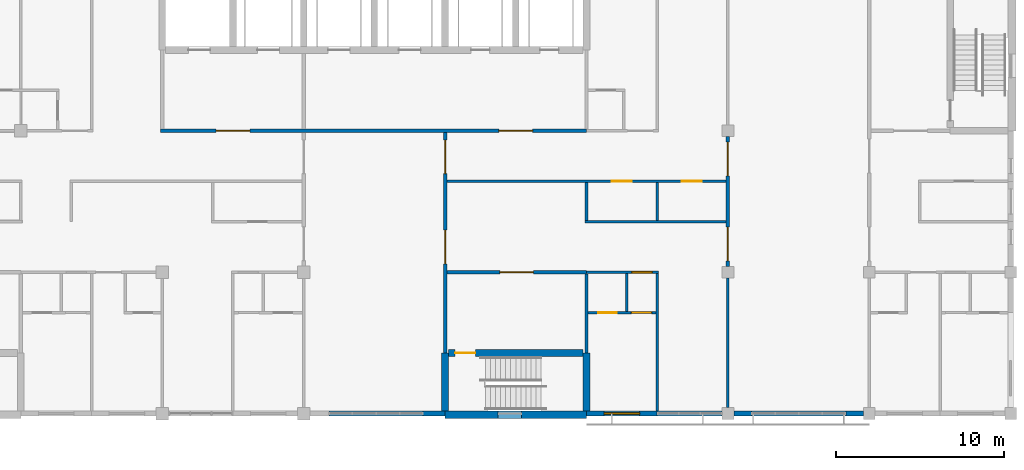
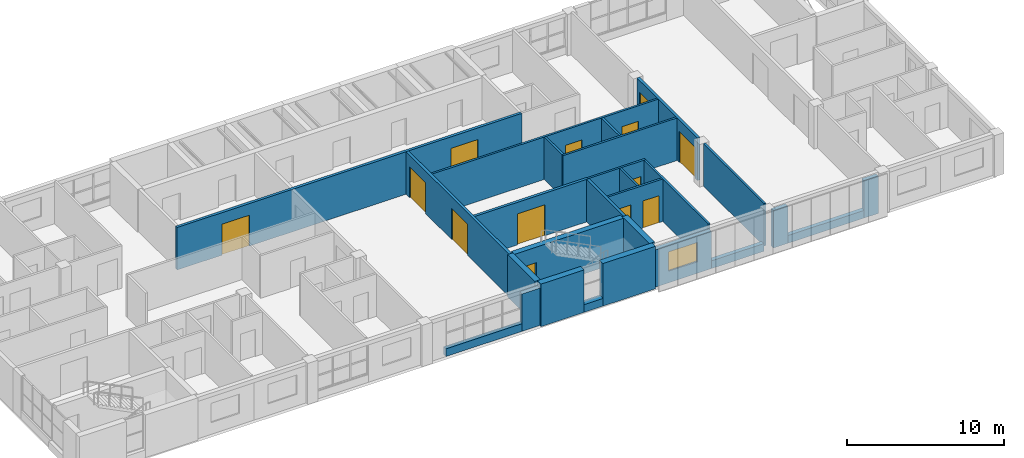
# One storey, part 38 of 48: 27 walls, 13 doors, 1 window, 14 openings.
"""IFC4 building model written with IfcOpenShell, lengths in metres."""

from ifc_helpers import new_model, si_unit, direction, frame, frame_2d, origin, place, context, subcontext, project, spatial, rectangle, extrude, material, layer, layer_set, type_object, element, fill, save


model = new_model("IFC4")

# Units and contexts
model_context = context("Model", 3, precision=1e-05, world=origin(), true_north=direction((0.0, 1.0)))
body_context = subcontext(model_context, "Body", "Model", "MODEL_VIEW")
ifc_project = project(units=[si_unit("LENGTHUNIT", "METRE"), si_unit("AREAUNIT", "SQUARE_METRE"), si_unit("VOLUMEUNIT", "CUBIC_METRE"), si_unit("PLANEANGLEUNIT", "RADIAN"), si_unit("MASSUNIT", "GRAM", prefix="KILO")], contexts=[model_context])

# Site, building, storey
site_placement = place(None, origin())
site = spatial("IfcSite", under=ifc_project, at=site_placement, CompositionType="ELEMENT")
building_placement = place(site_placement, origin())
building = spatial("IfcBuilding", under=site, at=building_placement, Name="Yavir Park General Hospital", CompositionType="ELEMENT")
storey_placement = place(building_placement, frame((0.0, 0.0, 26.10009765625)))
storey = spatial("IfcBuildingStorey", under=building, at=storey_placement, Name="L06", CompositionType="ELEMENT", Elevation=26.10009765625)

# Wall, opening, door
ifc_material_1 = material(Name="Double gypsum board fire partition on steel studs", Category="steel")
ifc_layer_1 = layer(ifc_material_1, 0.199951171875)
ifc_layer_set_1 = layer_set([ifc_layer_1], Name="Double gypsum board fire partition on steel studs")
wall_type_1 = type_object("IfcWallType", Name="Fire-rated partition 200, EI 60", PredefinedType="PARTITIONING", material=ifc_layer_set_1)
wall_1_placement = place(storey_placement, frame((134.5, 8.39990234375, 0.0), z_axis=(0.0, 0.0, 1.0), x_axis=(1.0, 0.0, 0.0)))
wall_1 = element("IfcWall", 1, at=wall_1_placement, inside=storey, type_object=wall_type_1, Name="FP20 L06-021", PredefinedType="PARTITIONING", context=body_context, shape_type="SweptSolid", body=[
    extrude(rectangle(XDim=8.300048828125, YDim=0.199951171875, at=frame_2d((4.14990234375, 0.0))), origin(), (0.0, 0.0, 1.0), 3.2998046875),
])
opening_1_placement = place(wall_1_placement, frame((3.14990234375, 0.0, 0.0)))
opening_1 = element("IfcOpeningElement", 2, at=opening_1_placement, cuts=wall_1, Name="Opening L06.D029", PredefinedType="OPENING", context=body_context, shape_type="SweptSolid", body=[
    extrude(rectangle(XDim=2.0, YDim=2.39990234375, at=frame_2d((1.0, 1.199951171875))), frame((0.0, 0.10986328125, 0.0), z_axis=(0.0, -1.0, 0.0), x_axis=(1.0, 0.0, 0.0)), (0.0, 0.0, 1.0), 0.219970703125),
])
ifc_material_2 = material(Name="Steel frame, fire-resisting leaves with vision panels", Category="steel")
door_type_1 = type_object("IfcDoorType", Name="Double fire door with vision panels 2000 x 2400, EI 60", OperationType="DOUBLE_DOOR_SINGLE_SWING", PredefinedType="DOOR", material=ifc_material_2)
door_1_placement = place(opening_1_placement, origin())
door_1 = element("IfcDoor", 3, at=door_1_placement, inside=storey, type_object=door_type_1, Name="L06.D029", OperationType="SINGLE_SWING_RIGHT", OverallHeight=2.39990234375, OverallWidth=2.0, PredefinedType="DOOR", context=body_context, shape_type="SweptSolid", body=[
    extrude(rectangle(XDim=2.0, YDim=2.39990234375, at=frame_2d((1.0, 1.199951171875))), frame((0.0, 0.030029296875, 0.0), z_axis=(0.0, -1.0, 0.0), x_axis=(1.0, 0.0, 0.0)), (0.0, 0.0, 1.0), 0.06005859375),
])
fill(opening_1, door_1)

# Wall, openings, doors
wall_2_placement = place(storey_placement, frame((117.5, 16.800048828125, 0.0), z_axis=(0.0, 0.0, 1.0), x_axis=(1.0, 0.0, 0.0)))
wall_2 = element("IfcWall", 4, at=wall_2_placement, inside=storey, type_object=wall_type_1, Name="FP20 L06-044", PredefinedType="PARTITIONING", context=body_context, shape_type="SweptSolid", body=[
    extrude(rectangle(XDim=25.300048828125, YDim=0.199951171875, at=frame_2d((12.64990234375, 0.0))), origin(), (0.0, 0.0, 1.0), 3.2998046875),
])
opening_2_placement = place(wall_2_placement, frame((3.300048828125, 0.0, 0.0)))
opening_2 = element("IfcOpeningElement", 5, at=opening_2_placement, cuts=wall_2, Name="Opening L06.D048", PredefinedType="OPENING", context=body_context, shape_type="SweptSolid", body=[
    extrude(rectangle(XDim=2.0, YDim=2.39990234375, at=frame_2d((1.0, 1.199951171875))), frame((0.0, 0.10986328125, 0.0), z_axis=(0.0, -1.0, 0.0), x_axis=(1.0, 0.0, 0.0)), (0.0, 0.0, 1.0), 0.219970703125),
])
opening_3_placement = place(wall_2_placement, frame((20.10009765625, 0.0, 0.0)))
opening_3 = element("IfcOpeningElement", 6, at=opening_3_placement, cuts=wall_2, Name="Opening L06.D049", PredefinedType="OPENING", context=body_context, shape_type="SweptSolid", body=[
    extrude(rectangle(XDim=2.0, YDim=2.39990234375, at=frame_2d((1.0, 1.199951171875))), frame((0.0, 0.10986328125, 0.0), z_axis=(0.0, -1.0, 0.0), x_axis=(1.0, 0.0, 0.0)), (0.0, 0.0, 1.0), 0.219970703125),
])
door_2_placement = place(opening_2_placement, origin())
door_2 = element("IfcDoor", 7, at=door_2_placement, inside=storey, type_object=door_type_1, Name="L06.D048", OperationType="SINGLE_SWING_RIGHT", OverallHeight=2.39990234375, OverallWidth=2.0, PredefinedType="DOOR", context=body_context, shape_type="SweptSolid", body=[
    extrude(rectangle(XDim=2.0, YDim=2.39990234375, at=frame_2d((1.0, 1.199951171875))), frame((0.0, 0.030029296875, 0.0), z_axis=(0.0, -1.0, 0.0), x_axis=(1.0, 0.0, 0.0)), (0.0, 0.0, 1.0), 0.06005859375),
])
fill(opening_2, door_2)
door_3_placement = place(opening_3_placement, origin())
door_3 = element("IfcDoor", 8, at=door_3_placement, inside=storey, type_object=door_type_1, Name="L06.D049", OperationType="SINGLE_SWING_LEFT", OverallHeight=2.39990234375, OverallWidth=2.0, PredefinedType="DOOR", context=body_context, shape_type="SweptSolid", body=[
    extrude(rectangle(XDim=2.0, YDim=2.39990234375, at=frame_2d((1.0, 1.199951171875))), frame((0.0, 0.030029296875, 0.0), z_axis=(0.0, -1.0, 0.0), x_axis=(1.0, 0.0, 0.0)), (0.0, 0.0, 1.0), 0.06005859375),
])
fill(opening_3, door_3)

wall_3_placement = place(storey_placement, frame((134.39990234375, 3.60009765625, 0.0), z_axis=(0.0, 0.0, 1.0), x_axis=(0.0, 1.0, 0.0)))
wall_3 = element("IfcWall", 9, at=wall_3_placement, inside=storey, type_object=wall_type_1, Name="FP20 L06-237", PredefinedType="PARTITIONING", context=body_context, shape_type="SweptSolid", body=[
    extrude(rectangle(XDim=13.099853515625, YDim=0.199951171875, at=frame_2d((6.5498046875, 0.0))), origin(), (0.0, 0.0, 1.0), 3.2998046875),
])
opening_4_placement = place(wall_3_placement, frame((5.300048828125, 0.0, 0.0)))
opening_4 = element("IfcOpeningElement", 10, at=opening_4_placement, cuts=wall_3, Name="Opening L06.D143", PredefinedType="OPENING", context=body_context, shape_type="SweptSolid", body=[
    extrude(rectangle(XDim=2.0, YDim=2.39990234375, at=frame_2d((1.0, 1.199951171875))), frame((0.0, 0.10986328125, 0.0), z_axis=(0.0, -1.0, 0.0), x_axis=(1.0, 0.0, 0.0)), (0.0, 0.0, 1.0), 0.219970703125),
])
opening_5_placement = place(wall_3_placement, frame((10.64990234375, 0.0, 0.0)))
opening_5 = element("IfcOpeningElement", 11, at=opening_5_placement, cuts=wall_3, Name="Opening L06.D144", PredefinedType="OPENING", context=body_context, shape_type="SweptSolid", body=[
    extrude(rectangle(XDim=2.0, YDim=2.39990234375, at=frame_2d((1.0, 1.199951171875))), frame((0.0, 0.10986328125, 0.0), z_axis=(0.0, -1.0, 0.0), x_axis=(1.0, 0.0, 0.0)), (0.0, 0.0, 1.0), 0.219970703125),
])
door_4_placement = place(opening_4_placement, origin())
door_4 = element("IfcDoor", 12, at=door_4_placement, inside=storey, type_object=door_type_1, Name="L06.D143", OperationType="SINGLE_SWING_LEFT", OverallHeight=2.39990234375, OverallWidth=2.0, PredefinedType="DOOR", context=body_context, shape_type="SweptSolid", body=[
    extrude(rectangle(XDim=2.0, YDim=2.39990234375, at=frame_2d((1.0, 1.199951171875))), frame((0.0, 0.030029296875, 0.0), z_axis=(0.0, -1.0, 0.0), x_axis=(1.0, 0.0, 0.0)), (0.0, 0.0, 1.0), 0.06005859375),
])
fill(opening_4, door_4)
door_5_placement = place(opening_5_placement, origin())
door_5 = element("IfcDoor", 13, at=door_5_placement, inside=storey, type_object=door_type_1, Name="L06.D144", OperationType="SINGLE_SWING_LEFT", OverallHeight=2.39990234375, OverallWidth=2.0, PredefinedType="DOOR", context=body_context, shape_type="SweptSolid", body=[
    extrude(rectangle(XDim=2.0, YDim=2.39990234375, at=frame_2d((1.0, 1.199951171875))), frame((0.0, 0.030029296875, 0.0), z_axis=(0.0, -1.0, 0.0), x_axis=(1.0, 0.0, 0.0)), (0.0, 0.0, 1.0), 0.06005859375),
])
fill(opening_5, door_5)

# Wall
wall_4_placement = place(storey_placement, frame((142.800048828125, 3.60009765625, 0.0), z_axis=(0.0, 0.0, 1.0), x_axis=(0.0, 1.0, 0.0)))
element("IfcWall", 14, at=wall_4_placement, inside=storey, type_object=wall_type_1, Name="FP20 L06-241", PredefinedType="PARTITIONING", context=body_context, shape_type="SweptSolid", body=[
    extrude(rectangle(XDim=4.699951171875, YDim=0.199951171875, at=frame_2d((2.35009765625, 0.0))), origin(), (0.0, 0.0, 1.0), 3.2998046875),
])

# Wall, openings, doors
wall_5_placement = place(storey_placement, frame((151.199951171875, 8.75, 0.0), z_axis=(0.0, 0.0, 1.0), x_axis=(0.0, 1.0, 0.0)))
wall_5 = element("IfcWall", 15, at=wall_5_placement, inside=storey, type_object=wall_type_1, Name="FP20 L06-251", PredefinedType="PARTITIONING", context=body_context, shape_type="SweptSolid", body=[
    extrude(rectangle(XDim=7.699951171875, YDim=0.199951171875, at=frame_2d((3.85009765625, 0.0))), origin(), (0.0, 0.0, 1.0), 3.2998046875),
])
opening_6_placement = place(wall_5_placement, frame((0.324951171875, 0.0, 0.0)))
opening_6 = element("IfcOpeningElement", 16, at=opening_6_placement, cuts=wall_5, Name="Opening L06.D145", PredefinedType="OPENING", context=body_context, shape_type="SweptSolid", body=[
    extrude(rectangle(XDim=2.0, YDim=2.39990234375, at=frame_2d((1.0, 1.199951171875))), frame((0.0, 0.10986328125, 0.0), z_axis=(0.0, -1.0, 0.0), x_axis=(1.0, 0.0, 0.0)), (0.0, 0.0, 1.0), 0.219970703125),
])
opening_7_placement = place(wall_5_placement, frame((5.375, 0.0, 0.0)))
opening_7 = element("IfcOpeningElement", 17, at=opening_7_placement, cuts=wall_5, Name="Opening L06.D146", PredefinedType="OPENING", context=body_context, shape_type="SweptSolid", body=[
    extrude(rectangle(XDim=2.0, YDim=2.39990234375, at=frame_2d((1.0, 1.199951171875))), frame((0.0, 0.10986328125, 0.0), z_axis=(0.0, -1.0, 0.0), x_axis=(1.0, 0.0, 0.0)), (0.0, 0.0, 1.0), 0.219970703125),
])
door_6_placement = place(opening_6_placement, origin())
door_6 = element("IfcDoor", 18, at=door_6_placement, inside=storey, type_object=door_type_1, Name="L06.D145", OperationType="SINGLE_SWING_LEFT", OverallHeight=2.39990234375, OverallWidth=2.0, PredefinedType="DOOR", context=body_context, shape_type="SweptSolid", body=[
    extrude(rectangle(XDim=2.0, YDim=2.39990234375, at=frame_2d((1.0, 1.199951171875))), frame((0.0, 0.030029296875, 0.0), z_axis=(0.0, -1.0, 0.0), x_axis=(1.0, 0.0, 0.0)), (0.0, 0.0, 1.0), 0.06005859375),
])
fill(opening_6, door_6)
door_7_placement = place(opening_7_placement, origin())
door_7 = element("IfcDoor", 19, at=door_7_placement, inside=storey, type_object=door_type_1, Name="L06.D146", OperationType="SINGLE_SWING_RIGHT", OverallHeight=2.39990234375, OverallWidth=2.0, PredefinedType="DOOR", context=body_context, shape_type="SweptSolid", body=[
    extrude(rectangle(XDim=2.0, YDim=2.39990234375, at=frame_2d((1.0, 1.199951171875))), frame((0.0, 0.030029296875, 0.0), z_axis=(0.0, -1.0, 0.0), x_axis=(1.0, 0.0, 0.0)), (0.0, 0.0, 1.0), 0.06005859375),
])
fill(opening_7, door_7)

ifc_material_3 = material(Name="Gypsum board partition on steel studs", Category="steel")
ifc_layer_2 = layer(ifc_material_3, 0.14990234375)
ifc_layer_set_2 = layer_set([ifc_layer_2], Name="Gypsum board partition on steel studs")
wall_type_2 = type_object("IfcWallType", Name="Gypsum board partition 150", PredefinedType="PARTITIONING", material=ifc_layer_set_2)
wall_6_placement = place(storey_placement, frame((142.89990234375, 6.0, 0.0), z_axis=(0.0, 0.0, 1.0), x_axis=(1.0, 0.0, 0.0)))
wall_6 = element("IfcWall", 20, at=wall_6_placement, inside=storey, type_object=wall_type_2, Name="P15 L06-011", PredefinedType="PARTITIONING", context=body_context, shape_type="SweptSolid", body=[
    extrude(rectangle(XDim=4.025146484375, YDim=0.14990234375, at=frame_2d((2.0126953125, 0.0))), origin(), (0.0, 0.0, 1.0), 3.2998046875),
])
opening_8_placement = place(wall_6_placement, frame((0.60009765625, 0.0, 0.0)))
opening_8 = element("IfcOpeningElement", 21, at=opening_8_placement, cuts=wall_6, Name="Opening L06.D014", PredefinedType="OPENING", context=body_context, shape_type="SweptSolid", body=[
    extrude(rectangle(XDim=1.10009765625, YDim=2.10009765625, at=frame_2d((0.550048828125, 1.050048828125))), frame((0.0, 0.0849609375, 0.0), z_axis=(0.0, -1.0, 0.0), x_axis=(1.0, 0.0, 0.0)), (0.0, 0.0, 1.0), 0.169921875),
])
opening_9_placement = place(wall_6_placement, frame((2.5625, 0.0, 0.0)))
opening_9 = element("IfcOpeningElement", 22, at=opening_9_placement, cuts=wall_6, Name="Opening L06.D015", PredefinedType="OPENING", context=body_context, shape_type="SweptSolid", body=[
    extrude(rectangle(XDim=1.199951171875, YDim=2.10009765625, at=frame_2d((0.60009765625, 1.050048828125))), frame((0.0, 0.0849609375, 0.0), z_axis=(0.0, -1.0, 0.0), x_axis=(1.0, 0.0, 0.0)), (0.0, 0.0, 1.0), 0.169921875),
])
ifc_material_4 = material(Name="Sealed steel door leaf, compression seals", Category="steel")
door_type_2 = type_object("IfcDoorType", Name="Isolation airlock door 1200 x 2100", OperationType="SINGLE_SWING_LEFT", PredefinedType="DOOR", material=ifc_material_4)
door_8_placement = place(opening_9_placement, origin())
door_8 = element("IfcDoor", 23, at=door_8_placement, inside=storey, type_object=door_type_2, Name="L06.D015", OperationType="SINGLE_SWING_RIGHT", OverallHeight=2.10009765625, OverallWidth=1.199951171875, PredefinedType="DOOR", context=body_context, shape_type="SweptSolid", body=[
    extrude(rectangle(XDim=1.199951171875, YDim=2.10009765625, at=frame_2d((0.60009765625, 1.050048828125))), frame((0.0, 0.050048828125, 0.0), z_axis=(0.0, -1.0, 0.0), x_axis=(1.0, 0.0, 0.0)), (0.0, 0.0, 1.0), 0.10009765625),
])
fill(opening_9, door_8)
ifc_material_5 = material(Name="Hollow metal frame, solid-core timber leaf", Category="wood")
door_type_3 = type_object("IfcDoorType", Name="Single swing door 1100 x 2100", OperationType="SINGLE_SWING_LEFT", PredefinedType="DOOR", material=ifc_material_5)
door_9_placement = place(opening_8_placement, origin())
door_9 = element("IfcDoor", 24, at=door_9_placement, inside=storey, type_object=door_type_3, Name="L06.D014", OperationType="SINGLE_SWING_LEFT", OverallHeight=2.10009765625, OverallWidth=1.10009765625, PredefinedType="DOOR", context=body_context, shape_type="SweptSolid", body=[
    extrude(rectangle(XDim=1.10009765625, YDim=2.10009765625, at=frame_2d((0.550048828125, 1.050048828125))), frame((0.0, 0.02490234375, 0.0), z_axis=(0.0, -1.0, 0.0), x_axis=(1.0, 0.0, 0.0)), (0.0, 0.0, 1.0), 0.050048828125),
])
fill(opening_8, door_9)

# Wall, opening, door
wall_7_placement = place(storey_placement, frame((142.800048828125, 8.39990234375, 0.0), z_axis=(0.0, 0.0, 1.0), x_axis=(1.0, 0.0, 0.0)))
wall_7 = element("IfcWall", 25, at=wall_7_placement, inside=storey, type_object=wall_type_2, Name="P15 L06-022", PredefinedType="PARTITIONING", context=body_context, shape_type="SweptSolid", body=[
    extrude(rectangle(XDim=4.27490234375, YDim=0.14990234375, at=frame_2d((2.137451171875, 0.0))), origin(), (0.0, 0.0, 1.0), 3.2998046875),
])
opening_10_placement = place(wall_7_placement, frame((2.699951171875, 0.0, 0.0)))
opening_10 = element("IfcOpeningElement", 26, at=opening_10_placement, cuts=wall_7, Name="Opening L06.D030", PredefinedType="OPENING", context=body_context, shape_type="SweptSolid", body=[
    extrude(rectangle(XDim=1.199951171875, YDim=2.10009765625, at=frame_2d((0.60009765625, 1.050048828125))), frame((0.0, 0.0849609375, 0.0), z_axis=(0.0, -1.0, 0.0), x_axis=(1.0, 0.0, 0.0)), (0.0, 0.0, 1.0), 0.169921875),
])
door_10_placement = place(opening_10_placement, origin())
door_10 = element("IfcDoor", 27, at=door_10_placement, inside=storey, type_object=door_type_2, Name="L06.D030", OperationType="SINGLE_SWING_LEFT", OverallHeight=2.10009765625, OverallWidth=1.199951171875, PredefinedType="DOOR", context=body_context, shape_type="SweptSolid", body=[
    extrude(rectangle(XDim=1.199951171875, YDim=2.10009765625, at=frame_2d((0.60009765625, 1.050048828125))), frame((0.0, 0.050048828125, 0.0), z_axis=(0.0, -1.0, 0.0), x_axis=(1.0, 0.0, 0.0)), (0.0, 0.0, 1.0), 0.10009765625),
])
fill(opening_10, door_10)

# Wall
wall_8_placement = place(storey_placement, frame((142.72509765625, 11.39990234375, 0.0), z_axis=(0.0, 0.0, 1.0), x_axis=(1.0, 0.0, 0.0)))
element("IfcWall", 28, at=wall_8_placement, inside=storey, type_object=wall_type_2, Name="P15 L06-028", PredefinedType="PARTITIONING", context=body_context, shape_type="SweptSolid", body=[
    extrude(rectangle(XDim=8.375, YDim=0.14990234375, at=frame_2d((4.1875, 0.0))), origin(), (0.0, 0.0, 1.0), 3.2998046875),
])

# Wall, openings, doors
wall_9_placement = place(storey_placement, frame((134.5, 13.800048828125, 0.0), z_axis=(0.0, 0.0, 1.0), x_axis=(1.0, 0.0, 0.0)))
wall_9 = element("IfcWall", 29, at=wall_9_placement, inside=storey, type_object=wall_type_2, Name="P15 L06-035", PredefinedType="PARTITIONING", context=body_context, shape_type="SweptSolid", body=[
    extrude(rectangle(XDim=16.60009765625, YDim=0.14990234375, at=frame_2d((8.300048828125, 0.0))), origin(), (0.0, 0.0, 1.0), 3.2998046875),
])
opening_11_placement = place(wall_9_placement, frame((9.800048828125, 0.0, 0.0)))
opening_11 = element("IfcOpeningElement", 30, at=opening_11_placement, cuts=wall_9, Name="Opening L06.D039", PredefinedType="OPENING", context=body_context, shape_type="SweptSolid", body=[
    extrude(rectangle(XDim=1.199951171875, YDim=2.10009765625, at=frame_2d((0.60009765625, 1.050048828125))), frame((0.0, 0.0849609375, 0.0), z_axis=(0.0, -1.0, 0.0), x_axis=(1.0, 0.0, 0.0)), (0.0, 0.0, 1.0), 0.169921875),
])
opening_12_placement = place(wall_9_placement, frame((13.949951171875, 0.0, 0.0)))
opening_12 = element("IfcOpeningElement", 31, at=opening_12_placement, cuts=wall_9, Name="Opening L06.D040", PredefinedType="OPENING", context=body_context, shape_type="SweptSolid", body=[
    extrude(rectangle(XDim=1.199951171875, YDim=2.10009765625, at=frame_2d((0.60009765625, 1.050048828125))), frame((0.0, 0.0849609375, 0.0), z_axis=(0.0, -1.0, 0.0), x_axis=(1.0, 0.0, 0.0)), (0.0, 0.0, 1.0), 0.169921875),
])
ifc_material_6 = material(Name="Hollow metal frame, solid-core timber leaf", Category="wood")
door_type_4 = type_object("IfcDoorType", Name="Single swing door 1200 x 2100", OperationType="SINGLE_SWING_LEFT", PredefinedType="DOOR", material=ifc_material_6)
door_11_placement = place(opening_11_placement, origin())
door_11 = element("IfcDoor", 32, at=door_11_placement, inside=storey, type_object=door_type_4, Name="L06.D039", OperationType="SINGLE_SWING_LEFT", OverallHeight=2.10009765625, OverallWidth=1.199951171875, PredefinedType="DOOR", context=body_context, shape_type="SweptSolid", body=[
    extrude(rectangle(XDim=1.199951171875, YDim=2.10009765625, at=frame_2d((0.60009765625, 1.050048828125))), frame((0.0, 0.02490234375, 0.0), z_axis=(0.0, -1.0, 0.0), x_axis=(1.0, 0.0, 0.0)), (0.0, 0.0, 1.0), 0.050048828125),
])
fill(opening_11, door_11)
door_12_placement = place(opening_12_placement, origin())
door_12 = element("IfcDoor", 33, at=door_12_placement, inside=storey, type_object=door_type_4, Name="L06.D040", OperationType="SINGLE_SWING_LEFT", OverallHeight=2.10009765625, OverallWidth=1.199951171875, PredefinedType="DOOR", context=body_context, shape_type="SweptSolid", body=[
    extrude(rectangle(XDim=1.199951171875, YDim=2.10009765625, at=frame_2d((0.60009765625, 1.050048828125))), frame((0.0, 0.02490234375, 0.0), z_axis=(0.0, -1.0, 0.0), x_axis=(1.0, 0.0, 0.0)), (0.0, 0.0, 1.0), 0.050048828125),
])
fill(opening_12, door_12)

# Walls
for number, where, z_axis, x_axis, name in (
    (34, (142.800048828125, 11.47509765625, 0.0), (0.0, 0.0, 1.0), (0.0, 1.0, 0.0), "P15 L06-242"),
    (35, (145.199951171875, 6.074951171875, 0.0), (0.0, 0.0, 1.0), (0.0, 1.0, 0.0), "P15 L06-246"),
):
    element("IfcWall", number, at=place(storey_placement, frame(where, z_axis=z_axis, x_axis=x_axis)), inside=storey, type_object=wall_type_2, Name=name, PredefinedType="PARTITIONING", context=body_context, shape_type="SweptSolid", body=[
        extrude(rectangle(XDim=2.25, YDim=0.14990234375, at=frame_2d((1.125, 0.0))), origin(), (0.0, 0.0, 1.0), 3.2998046875),
    ])
wall_10_placement = place(storey_placement, frame((147.0, 0.14990234375, 0.0), z_axis=(0.0, 0.0, 1.0), x_axis=(0.0, 1.0, 0.0)))
element("IfcWall", 36, at=wall_10_placement, inside=storey, type_object=wall_type_2, Name="P15 L06-247", PredefinedType="PARTITIONING", context=body_context, shape_type="SweptSolid", body=[
    extrude(rectangle(XDim=8.175048828125, YDim=0.14990234375, at=frame_2d((4.08740234375, 0.0))), origin(), (0.0, 0.0, 1.0), 3.2998046875),
])
wall_11_placement = place(storey_placement, frame((147.0, 11.47509765625, 0.0), z_axis=(0.0, 0.0, 1.0), x_axis=(0.0, 1.0, 0.0)))
element("IfcWall", 37, at=wall_11_placement, inside=storey, type_object=wall_type_2, Name="P15 L06-248", PredefinedType="PARTITIONING", context=body_context, shape_type="SweptSolid", body=[
    extrude(rectangle(XDim=2.25, YDim=0.14990234375, at=frame_2d((1.125, 0.0))), origin(), (0.0, 0.0, 1.0), 3.2998046875),
])
wall_12_placement = place(storey_placement, frame((151.199951171875, 0.35009765625, 0.0), z_axis=(0.0, 0.0, 1.0), x_axis=(0.0, 1.0, 0.0)))
element("IfcWall", 38, at=wall_12_placement, inside=storey, type_object=wall_type_2, Name="P15 L06-250", PredefinedType="PARTITIONING", context=body_context, shape_type="SweptSolid", body=[
    extrude(rectangle(XDim=7.699951171875, YDim=0.14990234375, at=frame_2d((3.85009765625, 0.0))), origin(), (0.0, 0.0, 1.0), 3.2998046875),
])
ifc_material_7 = material(Name="Autoclaved aerated block, mineral wool and ochre mineral render")
ifc_layer_3 = layer(ifc_material_7, 0.300048828125)
ifc_layer_set_3 = layer_set([ifc_layer_3], Name="Autoclaved aerated block, mineral wool and ochre mineral render")
wall_type_3 = type_object("IfcWallType", Name="Ochre render ward wall 300, E 30", PredefinedType="SOLIDWALL", material=ifc_layer_set_3)
wall_13_placement = place(storey_placement, frame((133.10009765625, 0.0, 0.0), z_axis=(0.0, 0.0, 1.0), x_axis=(1.0, 0.0, 0.0)))
element("IfcWall", 39, at=wall_13_placement, inside=storey, type_object=wall_type_3, Name="XW7 L06-021", PredefinedType="SOLIDWALL", context=body_context, shape_type="SweptSolid", body=[
    extrude(rectangle(XDim=1.2998046875, YDim=0.300048828125, at=frame_2d((0.64990234375, 0.0))), origin(), (0.0, 0.0, 1.0), 2.89990234375),
])
wall_14_placement = place(storey_placement, frame((127.5, 0.0, 0.0), z_axis=(0.0, 0.0, 1.0), x_axis=(1.0, 0.0, 0.0)))
element("IfcWall", 40, at=wall_14_placement, inside=storey, type_object=wall_type_3, Name="XW7 L06-022", PredefinedType="SOLIDWALL", context=body_context, shape_type="SweptSolid", body=[
    extrude(rectangle(XDim=5.60009765625, YDim=0.300048828125, at=frame_2d((2.800048828125, 0.0))), origin(), (0.0, 0.0, 1.0), 0.599853515625),
])

# Wall, opening, window
wall_15_placement = place(storey_placement, frame((142.800048828125, 0.0, 0.0), z_axis=(0.0, 0.0, 1.0), x_axis=(1.0, 0.0, 0.0)))
wall_15 = element("IfcWall", 41, at=wall_15_placement, inside=storey, type_object=wall_type_3, Name="XW7 L06-026", PredefinedType="SOLIDWALL", context=body_context, shape_type="SweptSolid", body=[
    extrude(rectangle(XDim=4.199951171875, YDim=0.300048828125, at=frame_2d((2.10009765625, 0.0))), origin(), (0.0, 0.0, 1.0), 2.89990234375),
])
opening_13_placement = place(wall_15_placement, frame((1.050048828125, 0.0, 0.89990234375)))
opening_13 = element("IfcOpeningElement", 42, at=opening_13_placement, cuts=wall_15, Name="Opening WI", PredefinedType="OPENING", context=body_context, shape_type="SweptSolid", body=[
    extrude(rectangle(XDim=2.10009765625, YDim=1.5, at=frame_2d((1.050048828125, 0.75))), frame((0.0, 0.159912109375, 0.0), z_axis=(0.0, -1.0, 0.0), x_axis=(1.0, 0.0, 0.0)), (0.0, 0.0, 1.0), 0.320068359375),
])
ifc_material_8 = material(Name="Aluminium frame, acoustic glazed unit", Category="aluminium")
window_type = type_object("IfcWindowType", Name="Acoustic glazed window 2100 x 1500", PartitioningType="SINGLE_PANEL", PredefinedType="WINDOW", material=ifc_material_8)
window_placement = place(opening_13_placement, origin())
window = element("IfcWindow", 43, at=window_placement, inside=storey, type_object=window_type, Name="WI L06-009", OverallHeight=1.5, OverallWidth=2.10009765625, PartitioningType="SINGLE_PANEL", PredefinedType="WINDOW", context=body_context, shape_type="SweptSolid", body=[
    extrude(rectangle(XDim=2.10009765625, YDim=1.5, at=frame_2d((1.050048828125, 0.75))), frame((0.0, 0.044921875, 0.0), z_axis=(0.0, -1.0, 0.0), x_axis=(1.0, 0.0, 0.0)), (0.0, 0.0, 1.0), 0.090087890625),
])
fill(opening_13, window)

# Walls
wall_16_placement = place(storey_placement, frame((147.0, 0.0, 0.0), z_axis=(0.0, 0.0, 1.0), x_axis=(1.0, 0.0, 0.0)))
element("IfcWall", 44, at=wall_16_placement, inside=storey, type_object=wall_type_3, Name="XW7 L06-027", PredefinedType="SOLIDWALL", context=body_context, shape_type="SweptSolid", body=[
    extrude(rectangle(XDim=3.85009765625, YDim=0.300048828125, at=frame_2d((1.925048828125, 0.0))), origin(), (0.0, 0.0, 1.0), 0.599853515625),
])
for number, where, z_axis, x_axis, name in (
    (45, (151.550048828125, 0.0, 0.0), (0.0, 0.0, 1.0), (1.0, 0.0, 0.0), "XW7 L06-028"),
    (46, (158.199951171875, 0.0, 0.0), (0.0, 0.0, 1.0), (1.0, 0.0, 0.0), "XW7 L06-029"),
):
    element("IfcWall", number, at=place(storey_placement, frame(where, z_axis=z_axis, x_axis=x_axis)), inside=storey, type_object=wall_type_3, Name=name, PredefinedType="SOLIDWALL", context=body_context, shape_type="SweptSolid", body=[
        extrude(rectangle(XDim=1.050048828125, YDim=0.300048828125, at=frame_2d((0.52490234375, 0.0))), origin(), (0.0, 0.0, 1.0), 2.89990234375),
    ])
wall_17_placement = place(storey_placement, frame((152.60009765625, 0.0, 0.0), z_axis=(0.0, 0.0, 1.0), x_axis=(1.0, 0.0, 0.0)))
element("IfcWall", 47, at=wall_17_placement, inside=storey, type_object=wall_type_3, Name="XW7 L06-030", PredefinedType="SOLIDWALL", context=body_context, shape_type="SweptSolid", body=[
    extrude(rectangle(XDim=5.599853515625, YDim=0.300048828125, at=frame_2d((2.7998046875, 0.0))), origin(), (0.0, 0.0, 1.0), 0.599853515625),
])

# Wall, opening, door
ifc_material_9 = material(Name="Concrete C35/45", Category="concrete")
ifc_layer_4 = layer(ifc_material_9, 0.39990234375)
ifc_layer_set_4 = layer_set([ifc_layer_4], Name="Concrete C35/45")
wall_type_4 = type_object("IfcWallType", Name="Reinforced concrete core wall 400, REI 150", PredefinedType="SHEAR", material=ifc_layer_set_4)
wall_18_placement = place(storey_placement, frame((134.60009765625, 3.60009765625, 0.0), z_axis=(0.0, 0.0, 1.0), x_axis=(1.0, 0.0, 0.0)))
wall_18 = element("IfcWall", 48, at=wall_18_placement, inside=storey, type_object=wall_type_4, Name="CW40 L06-003", PredefinedType="SHEAR", context=body_context, shape_type="SweptSolid", body=[
    extrude(rectangle(XDim=8.0, YDim=0.39990234375, at=frame_2d((4.0, 0.0))), origin(), (0.0, 0.0, 1.0), 3.2998046875),
])
opening_14_placement = place(wall_18_placement, frame((0.39990234375, 0.0, 0.0)))
opening_14 = element("IfcOpeningElement", 49, at=opening_14_placement, cuts=wall_18, Name="Opening L06.D003", PredefinedType="OPENING", context=body_context, shape_type="SweptSolid", body=[
    extrude(rectangle(XDim=1.199951171875, YDim=2.10009765625, at=frame_2d((0.60009765625, 1.050048828125))), frame((0.0, 0.2099609375, 0.0), z_axis=(0.0, -1.0, 0.0), x_axis=(1.0, 0.0, 0.0)), (0.0, 0.0, 1.0), 0.419921875),
])
ifc_material_10 = material(Name="Steel frame, fire-resisting timber leaf", Category="steel")
door_type_5 = type_object("IfcDoorType", Name="Fire door 1200 x 2100, EI 60", OperationType="SINGLE_SWING_LEFT", PredefinedType="DOOR", material=ifc_material_10)
door_13_placement = place(opening_14_placement, origin())
door_13 = element("IfcDoor", 50, at=door_13_placement, inside=storey, type_object=door_type_5, Name="L06.D003", OperationType="SINGLE_SWING_LEFT", OverallHeight=2.10009765625, OverallWidth=1.199951171875, PredefinedType="DOOR", context=body_context, shape_type="SweptSolid", body=[
    extrude(rectangle(XDim=1.199951171875, YDim=2.10009765625, at=frame_2d((0.60009765625, 1.050048828125))), frame((0.0, 0.02490234375, 0.0), z_axis=(0.0, -1.0, 0.0), x_axis=(1.0, 0.0, 0.0)), (0.0, 0.0, 1.0), 0.050048828125),
])
fill(opening_14, door_13)

# Walls
for number, where, z_axis, x_axis, name in (
    (51, (134.39990234375, 0.14990234375, 0.0), (0.0, 0.0, 1.0), (0.0, 1.0, 0.0), "CW40 L06-236"),
    (52, (142.800048828125, 0.14990234375, 0.0), (0.0, 0.0, 1.0), (0.0, 1.0, 0.0), "CW40 L06-240"),
):
    element("IfcWall", number, at=place(storey_placement, frame(where, z_axis=z_axis, x_axis=x_axis)), inside=storey, type_object=wall_type_4, Name=name, PredefinedType="SHEAR", context=body_context, shape_type="SweptSolid", body=[
        extrude(rectangle(XDim=3.4501953125, YDim=0.39990234375, at=frame_2d((1.72509765625, 0.0))), origin(), (0.0, 0.0, 1.0), 3.2998046875),
    ])
ifc_material_11 = material(Name="Concrete C30/37 precast panel with 150 mm mineral wool insulation", Category="concrete")
ifc_layer_5 = layer(ifc_material_11, 0.449951171875)
ifc_layer_set_5 = layer_set([ifc_layer_5], Name="Concrete C30/37 precast panel with 150 mm mineral wool insulation")
wall_type_5 = type_object("IfcWallType", Name="Stair enclosure wall 450, REI 150", PredefinedType="SOLIDWALL", material=ifc_layer_set_5)
wall_19_placement = place(storey_placement, frame((134.39990234375, -0.074951171875, 0.0), z_axis=(0.0, 0.0, 1.0), x_axis=(1.0, 0.0, 0.0)))
element("IfcWall", 53, at=wall_19_placement, inside=storey, type_object=wall_type_5, Name="XW6 L06-023", PredefinedType="SOLIDWALL", context=body_context, shape_type="SweptSolid", body=[
    extrude(rectangle(XDim=3.150146484375, YDim=0.449951171875, at=frame_2d((1.5751953125, 0.0))), origin(), (0.0, 0.0, 1.0), 3.2998046875),
])
wall_20_placement = place(storey_placement, frame((138.949951171875, -0.074951171875, 0.0), z_axis=(0.0, 0.0, 1.0), x_axis=(1.0, 0.0, 0.0)))
element("IfcWall", 54, at=wall_20_placement, inside=storey, type_object=wall_type_5, Name="XW6 L06-024", PredefinedType="SOLIDWALL", context=body_context, shape_type="SweptSolid", body=[
    extrude(rectangle(XDim=3.85009765625, YDim=0.449951171875, at=frame_2d((1.925048828125, 0.0))), origin(), (0.0, 0.0, 1.0), 3.2998046875),
])
wall_21_placement = place(storey_placement, frame((137.550048828125, -0.074951171875, 0.0), z_axis=(0.0, 0.0, 1.0), x_axis=(1.0, 0.0, 0.0)))
element("IfcWall", 55, at=wall_21_placement, inside=storey, type_object=wall_type_5, Name="XW6 L06-025", PredefinedType="SOLIDWALL", context=body_context, shape_type="SweptSolid", body=[
    extrude(rectangle(XDim=1.39990234375, YDim=0.449951171875, at=frame_2d((0.699951171875, 0.0))), origin(), (0.0, 0.0, 1.0), 0.599853515625),
])

save(model, "model.ifc")
